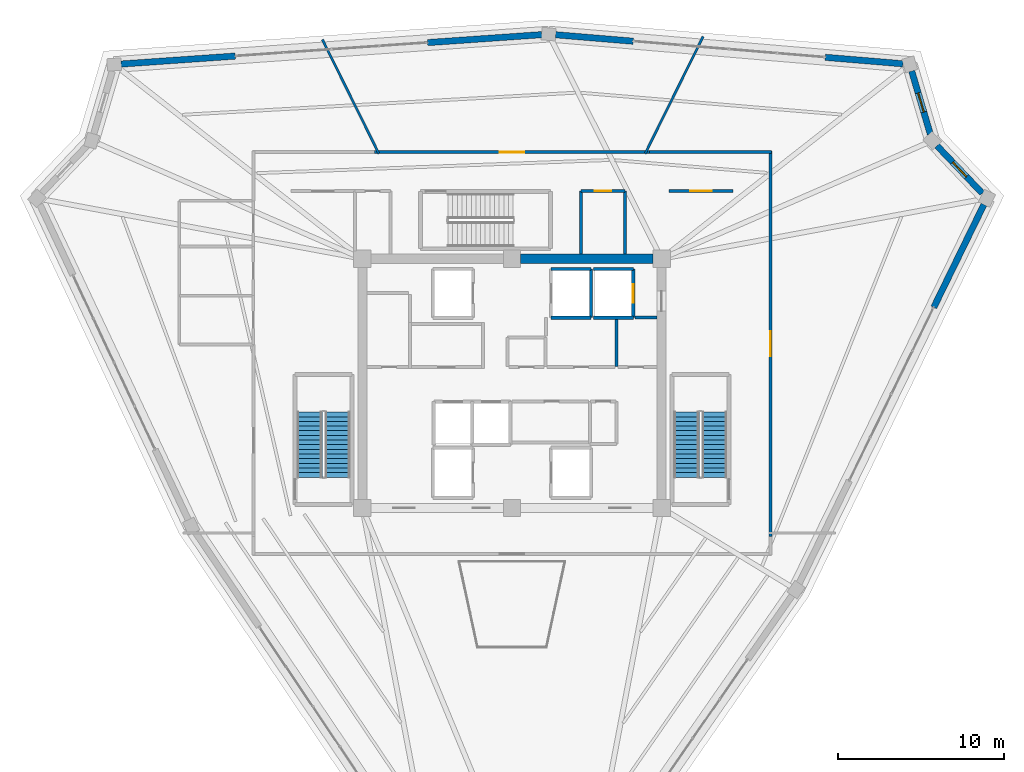
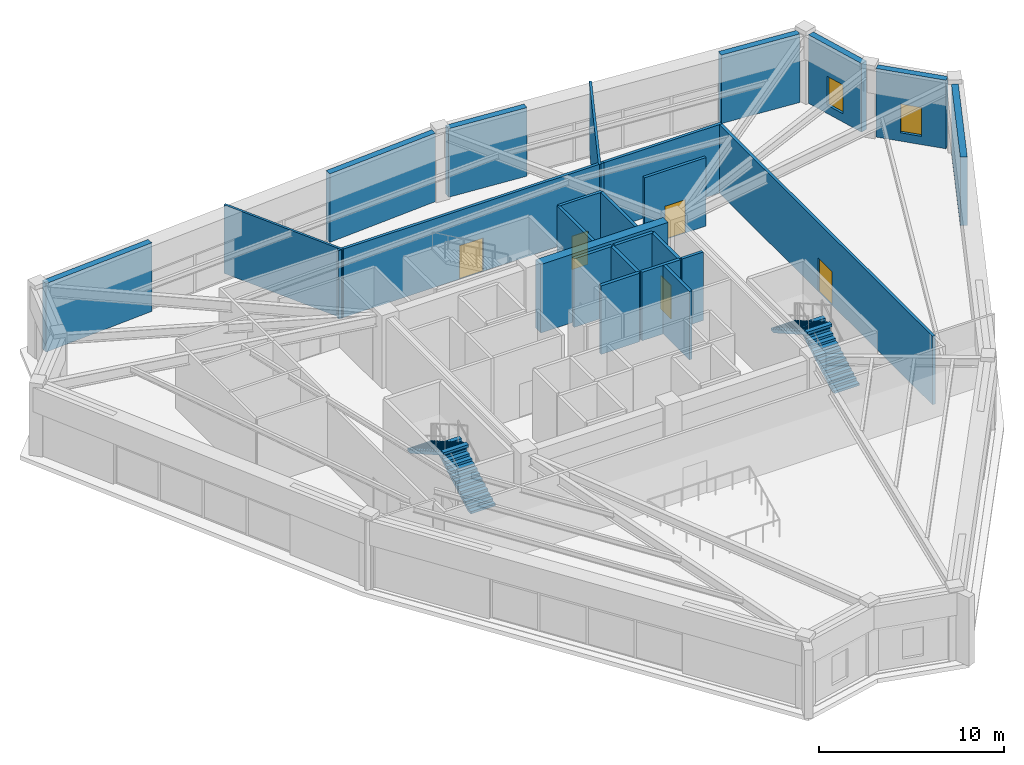
# One storey, part 36 of 40: 25 walls, 5 doors, 4 stair flights, 2 windows, 7 openings, 2 elements without a shape of their own.
"""IFC4 building model written with IfcOpenShell, lengths in metres."""

from ifc_helpers import new_model, si_unit, direction, frame, frame_2d, origin, place, context, subcontext, project, spatial, polyline, rectangle, outline, extrude, source, transform, mapped, material, layer, layer_set, type_object, element, fill, aggregate, save


model = new_model("IFC4")

# Units and contexts
model_context = context("Model", 3, precision=1e-05, world=origin(), true_north=direction((0.0, 1.0)))
body_context = subcontext(model_context, "Body", "Model", "MODEL_VIEW")
ifc_project = project(units=[si_unit("LENGTHUNIT", "METRE"), si_unit("AREAUNIT", "SQUARE_METRE"), si_unit("VOLUMEUNIT", "CUBIC_METRE"), si_unit("PLANEANGLEUNIT", "RADIAN"), si_unit("MASSUNIT", "GRAM", prefix="KILO")], contexts=[model_context])

# Site, building, storey
site_placement = place(None, origin())
site = spatial("IfcSite", under=ifc_project, at=site_placement, CompositionType="ELEMENT")
building_placement = place(site_placement, origin())
building = spatial("IfcBuilding", under=site, at=building_placement, Name="Liaohun Quay Tower", CompositionType="ELEMENT")
storey_placement = place(building_placement, frame((0.0, 0.0, 351.0)))
storey = spatial("IfcBuildingStorey", under=building, at=storey_placement, Name="L91", CompositionType="ELEMENT", Elevation=351.0)

# Walls
ifc_material_1 = material(Name="Concrete C50", Category="concrete")
ifc_layer_1 = layer(ifc_material_1, 0.550048828125, Name="Concrete C50", Category="concrete")
ifc_layer_set_1 = layer_set([ifc_layer_1], Name="Concrete C50")
wall_type_1 = type_object("IfcWallType", Name="WAL-COR-Z4", PredefinedType="SHEAR", material=ifc_layer_set_1)
wall_1_placement = place(storey_placement, frame((60.52490234375, 61.5, 0.0), z_axis=(0.0, 0.0, 1.0), x_axis=(1.0, 0.0, 0.0)))
element("IfcWall", 1, at=wall_1_placement, inside=storey, type_object=wall_type_1, Name="L91 Central Core Shear Wall N-E", PredefinedType="SHEAR", context=body_context, shape_type="SweptSolid", body=[
    extrude(rectangle(XDim=7.9501953125, YDim=0.550048828125, at=frame_2d((3.97509765625, 0.0))), origin(), (0.0, 0.0, 1.0), 4.52001953125),
])
ifc_material_2 = material(Name="Precast concrete C50 insulated sandwich", Category="concrete")
ifc_layer_2 = layer(ifc_material_2, 0.3798828125, Name="Precast concrete C50 insulated sandwich", Category="concrete")
ifc_layer_set_2 = layer_set([ifc_layer_2], Name="Precast concrete C50 insulated sandwich")
wall_type_2 = type_object("IfcWallType", Name="WAL-EXT-Z34", PredefinedType="SOLIDWALL", material=ifc_layer_set_2)
wall_2_placement = place(storey_placement, frame((85.381103515625, 58.572998046875, 0.0), z_axis=(0.0, 0.0, 1.0), x_axis=(0.438401984213, 0.898779005228, 0.0)))
element("IfcWall", 2, at=wall_2_placement, inside=storey, type_object=wall_type_2, Name="L91 Belvedere Flank Pier Wall 03R", PredefinedType="SOLIDWALL", context=body_context, shape_type="SweptSolid", body=[
    extrude(rectangle(XDim=6.88818359375, YDim=0.3798828125, at=frame_2d((3.444091796875, 0.0))), origin(), (0.0, 0.0, 1.0), 4.52001953125),
])

# Wall, opening, window
wall_3_placement = place(storey_placement, frame((88.297119140625, 65.43798828125, 0.0), z_axis=(0.0, 0.0, 1.0), x_axis=(-0.689429800436, 0.724352504152, 0.0)))
wall_3 = element("IfcWall", 3, at=wall_3_placement, inside=storey, type_object=wall_type_2, Name="L91 Corner Notch Precast Pier Wall 04", PredefinedType="SOLIDWALL", context=body_context, shape_type="SweptSolid", body=[
    extrude(rectangle(XDim=3.949951171875, YDim=0.3798828125, at=frame_2d((1.97509765625, 0.0))), origin(), (0.0, 0.0, 1.0), 4.52001953125),
])
shared_shape_1 = source(origin(), body_context, "Body", "SweptSolid", [
    extrude(rectangle(XDim=1.199951171875, YDim=1.89990234375, at=frame_2d((0.60009765625, 0.949951171875))), frame((0.0, 0.199951171875, 0.0), z_axis=(0.0, -1.0, 0.0), x_axis=(1.0, 0.0, 0.0)), (0.0, 0.0, 1.0), 0.39990234375),
])
opening_1_placement = place(wall_3_placement, frame((1.375, 0.0, 0.550048828125)))
opening_1 = element("IfcOpeningElement", 4, at=opening_1_placement, cuts=wall_3, Name="Opening W05", PredefinedType="OPENING", context=body_context, shape_type="MappedRepresentation", body=[
    mapped(shared_shape_1, transform((0.0, 0.0, 0.0), x_axis=(1.0, 0.0, 0.0), y_axis=(0.0, 1.0, 0.0), z_axis=(0.0, 0.0, 1.0), scale=1.0)),
])
ifc_material_3 = material(Name="Triple Low-E corner notch glazing", Category="glass")
window_type = type_object("IfcWindowType", Name="WIN-NOTCH", PartitioningType="SINGLE_PANEL", PredefinedType="WINDOW", material=ifc_material_3)
shared_shape_2 = source(origin(), body_context, "Body", "SweptSolid", [
    extrude(rectangle(XDim=1.199951171875, YDim=1.89990234375, at=frame_2d((0.60009765625, 0.949951171875))), frame((0.0, 0.030029296875, 0.0), z_axis=(0.0, -1.0, 0.0), x_axis=(1.0, 0.0, 0.0)), (0.0, 0.0, 1.0), 0.06005859375),
])
window_1_placement = place(opening_1_placement, origin())
window_1 = element("IfcWindow", 5, at=window_1_placement, inside=storey, type_object=window_type, Name="L91 Corner Notch Window W05-04", OverallHeight=1.89990234375, OverallWidth=1.199951171875, PartitioningType="SINGLE_PANEL", PredefinedType="WINDOW", context=body_context, shape_type="MappedRepresentation", body=[
    mapped(shared_shape_2, transform((0.0, 0.0, 0.0), x_axis=(1.0, 0.0, 0.0), y_axis=(0.0, 1.0, 0.0), z_axis=(0.0, 0.0, 1.0), scale=1.0)),
])
fill(opening_1, window_1)

wall_4_placement = place(storey_placement, frame((85.1708984375, 68.998046875, 0.0), z_axis=(0.0, 0.0, 1.0), x_axis=(-0.282830565061, 0.959169886656, 0.0)))
wall_4 = element("IfcWall", 6, at=wall_4_placement, inside=storey, type_object=wall_type_2, Name="L91 Corner Notch Precast Pier Wall 05", PredefinedType="SOLIDWALL", context=body_context, shape_type="SweptSolid", body=[
    extrude(rectangle(XDim=3.95947265625, YDim=0.3798828125, at=frame_2d((1.979736328125, 0.0))), origin(), (0.0, 0.0, 1.0), 4.52001953125),
])
opening_2_placement = place(wall_4_placement, frame((1.3798828125, 0.0, 0.550048828125)))
opening_2 = element("IfcOpeningElement", 7, at=opening_2_placement, cuts=wall_4, Name="Opening W05", PredefinedType="OPENING", context=body_context, shape_type="MappedRepresentation", body=[
    mapped(shared_shape_1, transform((0.0, 0.0, 0.0), x_axis=(1.0, 0.0, 0.0), y_axis=(0.0, 1.0, 0.0), z_axis=(0.0, 0.0, 1.0), scale=1.0)),
])
window_2_placement = place(opening_2_placement, origin())
window_2 = element("IfcWindow", 8, at=window_2_placement, inside=storey, type_object=window_type, Name="L91 Corner Notch Window W05-05", OverallHeight=1.89990234375, OverallWidth=1.199951171875, PartitioningType="SINGLE_PANEL", PredefinedType="WINDOW", context=body_context, shape_type="MappedRepresentation", body=[
    mapped(shared_shape_2, transform((0.0, 0.0, 0.0), x_axis=(1.0, 0.0, 0.0), y_axis=(0.0, 1.0, 0.0), z_axis=(0.0, 0.0, 1.0), scale=1.0)),
])
fill(opening_2, window_2)

# Walls
for number, where, z_axis, x_axis, name in (
    (9, (83.52001953125, 73.22900390625, 0.0), (0.0, 0.0, 1.0), (-0.996511180492, 0.083459374276, 0.0), "L91 Belvedere Flank Pier Wall 06L"),
    (10, (67.291015625, 74.5869140625, 0.0), (0.0, 0.0, 1.0), (-0.996511180492, 0.083459374276, 0.0), "L91 Belvedere Flank Pier Wall 06R"),
):
    element("IfcWall", number, at=place(storey_placement, frame(where, z_axis=z_axis, x_axis=x_axis)), inside=storey, type_object=wall_type_2, Name=name, PredefinedType="SOLIDWALL", context=body_context, shape_type="SweptSolid", body=[
        extrude(rectangle(XDim=4.686279296875, YDim=0.3798828125, at=frame_2d((2.34326171875, 0.0))), origin(), (0.0, 0.0, 1.0), 4.52001953125),
    ])
for number, where, z_axis, x_axis, name in (
    (11, (61.79296875, 74.98388671875, 0.0), (0.0, 0.0, 1.0), (-0.997569718887, -0.06967536121, 0.0), "L91 Belvedere Flank Pier Wall 07L"),
    (12, (43.34912109375, 73.694091796875, 0.0), (0.0, 0.0, 1.0), (-0.997569718887, -0.06967536121, 0.0), "L91 Belvedere Flank Pier Wall 07R"),
):
    element("IfcWall", number, at=place(storey_placement, frame(where, z_axis=z_axis, x_axis=x_axis)), inside=storey, type_object=wall_type_2, Name=name, PredefinedType="SOLIDWALL", context=body_context, shape_type="SweptSolid", body=[
        extrude(rectangle(XDim=6.888916015625, YDim=0.3798828125, at=frame_2d((3.4443359375, 0.0))), origin(), (0.0, 0.0, 1.0), 4.52001953125),
    ])

# Wall, opening, door
ifc_material_4 = material(Name="Autoclaved aerated concrete blockwork", Category="masonry")
ifc_layer_3 = layer(ifc_material_4, 0.179931640625, Name="Autoclaved aerated concrete blockwork", Category="masonry")
ifc_layer_set_3 = layer_set([ifc_layer_3], Name="Autoclaved aerated concrete blockwork")
wall_type_3 = type_object("IfcWallType", Name="WAL-PRT-COR", PredefinedType="PARTITIONING", material=ifc_layer_set_3)
wall_5_placement = place(storey_placement, frame((64.139892578125, 65.580078125, 0.0), z_axis=(0.0, 0.0, 1.0), x_axis=(1.0, 0.0, 0.0)))
wall_5 = element("IfcWall", 13, at=wall_5_placement, inside=storey, type_object=wall_type_3, Name="L91 Interior Partition Wall 012", PredefinedType="PARTITIONING", context=body_context, shape_type="SweptSolid", body=[
    extrude(rectangle(XDim=2.670166015625, YDim=0.179931640625, at=frame_2d((1.3349609375, 0.0))), origin(), (0.0, 0.0, 1.0), 4.52001953125),
])
shared_shape_3 = source(origin(), body_context, "Body", "SweptSolid", [
    extrude(rectangle(XDim=1.0, YDim=2.199951171875, at=frame_2d((0.5, 1.10009765625))), frame((0.0, 0.099853515625, 0.0), z_axis=(0.0, -1.0, 0.0), x_axis=(1.0, 0.0, 0.0)), (0.0, 0.0, 1.0), 0.199951171875),
])
opening_3_placement = place(wall_5_placement, frame((0.8349609375, 0.0, 0.0)))
opening_3 = element("IfcOpeningElement", 14, at=opening_3_placement, cuts=wall_5, Name="Opening OD1", PredefinedType="OPENING", context=body_context, shape_type="MappedRepresentation", body=[
    mapped(shared_shape_3, transform((0.0, 0.0, 0.0), x_axis=(1.0, 0.0, 0.0), y_axis=(0.0, 1.0, 0.0), z_axis=(0.0, 0.0, 1.0), scale=1.0)),
])
ifc_material_5 = material(Name="Solid-core oak veneer timber leaf in steel frame", Category="steel")
door_type_1 = type_object("IfcDoorType", Name="DOR-OFF-1000", OperationType="NOTDEFINED", PredefinedType="DOOR", material=ifc_material_5)
shared_shape_4 = source(origin(), body_context, "Body", "SweptSolid", [
    extrude(rectangle(XDim=1.0, YDim=2.199951171875, at=frame_2d((0.5, 1.10009765625))), frame((0.0, 0.02490234375, 0.0), z_axis=(0.0, -1.0, 0.0), x_axis=(1.0, 0.0, 0.0)), (0.0, 0.0, 1.0), 0.050048828125),
])
door_1_placement = place(opening_3_placement, origin())
door_1 = element("IfcDoor", 15, at=door_1_placement, inside=storey, type_object=door_type_1, Name="L91 North-East Server Closet Door", OperationType="SINGLE_SWING_RIGHT", OverallHeight=2.199951171875, OverallWidth=1.0, PredefinedType="DOOR", context=body_context, shape_type="MappedRepresentation", body=[
    mapped(shared_shape_4, transform((0.0, 0.0, 0.0), x_axis=(1.0, 0.0, 0.0), y_axis=(0.0, 1.0, 0.0), z_axis=(0.0, 0.0, 1.0), scale=1.0)),
])
fill(opening_3, door_1)

wall_6_placement = place(storey_placement, frame((69.4599609375, 65.580078125, 0.0), z_axis=(0.0, 0.0, 1.0), x_axis=(1.0, 0.0, 0.0)))
wall_6 = element("IfcWall", 16, at=wall_6_placement, inside=storey, type_object=wall_type_3, Name="L91 Interior Partition Wall 014", PredefinedType="PARTITIONING", context=body_context, shape_type="SweptSolid", body=[
    extrude(rectangle(XDim=3.840087890625, YDim=0.179931640625, at=frame_2d((1.919921875, 0.0))), origin(), (0.0, 0.0, 1.0), 4.52001953125),
])
shared_shape_5 = source(origin(), body_context, "Body", "SweptSolid", [
    extrude(rectangle(XDim=1.300048828125, YDim=2.199951171875, at=frame_2d((0.64990234375, 1.10009765625))), frame((0.0, 0.099853515625, 0.0), z_axis=(0.0, -1.0, 0.0), x_axis=(1.0, 0.0, 0.0)), (0.0, 0.0, 1.0), 0.199951171875),
])
opening_4_placement = place(wall_6_placement, frame((1.27001953125, 0.0, 0.0)))
opening_4 = element("IfcOpeningElement", 17, at=opening_4_placement, cuts=wall_6, Name="Opening FD1", PredefinedType="OPENING", context=body_context, shape_type="MappedRepresentation", body=[
    mapped(shared_shape_5, transform((0.0, 0.0, 0.0), x_axis=(1.0, 0.0, 0.0), y_axis=(0.0, 1.0, 0.0), z_axis=(0.0, 0.0, 1.0), scale=1.0)),
])
ifc_material_6 = material(Name="Galvanised steel smokeproof fire door", Category="steel")
door_type_2 = type_object("IfcDoorType", Name="DOR-FFL-1300", OperationType="NOTDEFINED", PredefinedType="DOOR", material=ifc_material_6)
shared_shape_6 = source(origin(), body_context, "Body", "SweptSolid", [
    extrude(rectangle(XDim=1.300048828125, YDim=2.199951171875, at=frame_2d((0.64990234375, 1.10009765625))), frame((0.0, 0.02490234375, 0.0), z_axis=(0.0, -1.0, 0.0), x_axis=(1.0, 0.0, 0.0)), (0.0, 0.0, 1.0), 0.050048828125),
])
door_2_placement = place(opening_4_placement, origin())
door_2 = element("IfcDoor", 18, at=door_2_placement, inside=storey, type_object=door_type_2, Name="L91 East Core Vestibule Door", OperationType="SINGLE_SWING_RIGHT", OverallHeight=2.199951171875, OverallWidth=1.300048828125, PredefinedType="DOOR", context=body_context, shape_type="MappedRepresentation", body=[
    mapped(shared_shape_6, transform((0.0, 0.0, 0.0), x_axis=(1.0, 0.0, 0.0), y_axis=(0.0, 1.0, 0.0), z_axis=(0.0, 0.0, 1.0), scale=1.0)),
])
fill(opening_4, door_2)

wall_7_placement = place(storey_placement, frame((75.56005859375, 67.97998046875, 0.0), z_axis=(0.0, 0.0, 1.0), x_axis=(0.0, -1.0, 0.0)))
wall_7 = element("IfcWall", 19, at=wall_7_placement, inside=storey, type_object=wall_type_3, Name="L91 Interior Partition Wall 015", PredefinedType="PARTITIONING", context=body_context, shape_type="SweptSolid", body=[
    extrude(rectangle(XDim=23.195068359375, YDim=0.179931640625, at=frame_2d((11.59765625, 0.0))), origin(), (0.0, 0.0, 1.0), 4.52001953125),
])
shared_shape_7 = source(origin(), body_context, "Body", "SweptSolid", [
    extrude(rectangle(XDim=1.5, YDim=2.199951171875, at=frame_2d((0.75, 1.10009765625))), frame((0.0, 0.099853515625, 0.0), z_axis=(0.0, -1.0, 0.0), x_axis=(1.0, 0.0, 0.0)), (0.0, 0.0, 1.0), 0.199951171875),
])
opening_5_placement = place(wall_7_placement, frame((10.847900390625, 0.0, 0.0)))
opening_5 = element("IfcOpeningElement", 20, at=opening_5_placement, cuts=wall_7, Name="Opening OD2", PredefinedType="OPENING", context=body_context, shape_type="MappedRepresentation", body=[
    mapped(shared_shape_7, transform((0.0, 0.0, 0.0), x_axis=(1.0, 0.0, 0.0), y_axis=(0.0, 1.0, 0.0), z_axis=(0.0, 0.0, 1.0), scale=1.0)),
])
ifc_material_7 = material(Name="Acoustic oak veneer double door")
door_type_3 = type_object("IfcDoorType", Name="DOR-OFF-1500", OperationType="DOUBLE_DOOR_SINGLE_SWING", PredefinedType="DOOR", material=ifc_material_7)
shared_shape_8 = source(origin(), body_context, "Body", "SweptSolid", [
    extrude(rectangle(XDim=1.5, YDim=2.199951171875, at=frame_2d((0.75, 1.10009765625))), frame((0.0, 0.02490234375, 0.0), z_axis=(0.0, -1.0, 0.0), x_axis=(1.0, 0.0, 0.0)), (0.0, 0.0, 1.0), 0.050048828125),
])
door_3_placement = place(opening_5_placement, origin())
door_3 = element("IfcDoor", 21, at=door_3_placement, inside=storey, type_object=door_type_3, Name="L91 Observation Belvedere Panorama Foyer 01 Door", OperationType="DOUBLE_DOOR_SINGLE_SWING", OverallHeight=2.199951171875, OverallWidth=1.5, PredefinedType="DOOR", context=body_context, shape_type="MappedRepresentation", body=[
    mapped(shared_shape_8, transform((0.0, 0.0, 0.0), x_axis=(1.0, 0.0, 0.0), y_axis=(0.0, 1.0, 0.0), z_axis=(0.0, 0.0, 1.0), scale=1.0)),
])
fill(opening_5, door_3)

wall_8_placement = place(storey_placement, frame((51.714111328125, 67.909912109375, 0.0), z_axis=(0.0, 0.0, 1.0), x_axis=(1.0, 0.0, 0.0)))
wall_8 = element("IfcWall", 22, at=wall_8_placement, inside=storey, type_object=wall_type_3, Name="L91 Interior Partition Wall 016", PredefinedType="PARTITIONING", context=body_context, shape_type="SweptSolid", body=[
    extrude(rectangle(XDim=16.57177734375, YDim=0.179931640625, at=frame_2d((8.285888671875, 0.0))), origin(), (0.0, 0.0, 1.0), 4.52001953125),
])
opening_6_placement = place(wall_8_placement, frame((7.535888671875, 0.0, 0.0)))
opening_6 = element("IfcOpeningElement", 23, at=opening_6_placement, cuts=wall_8, Name="Opening OD2", PredefinedType="OPENING", context=body_context, shape_type="MappedRepresentation", body=[
    mapped(shared_shape_7, transform((0.0, 0.0, 0.0), x_axis=(1.0, 0.0, 0.0), y_axis=(0.0, 1.0, 0.0), z_axis=(0.0, 0.0, 1.0), scale=1.0)),
])
door_4_placement = place(opening_6_placement, origin())
door_4 = element("IfcDoor", 24, at=door_4_placement, inside=storey, type_object=door_type_3, Name="L91 Riverfront Telescope Viewing Lounge 02 Door", OperationType="DOUBLE_DOOR_SINGLE_SWING", OverallHeight=2.199951171875, OverallWidth=1.5, PredefinedType="DOOR", context=body_context, shape_type="MappedRepresentation", body=[
    mapped(shared_shape_8, transform((0.0, 0.0, 0.0), x_axis=(1.0, 0.0, 0.0), y_axis=(0.0, 1.0, 0.0), z_axis=(0.0, 0.0, 1.0), scale=1.0)),
])
fill(opening_6, door_4)

# Walls
wall_9_placement = place(storey_placement, frame((66.300048828125, 55.02001953125, 0.0), z_axis=(0.0, 0.0, 1.0), x_axis=(0.0, 1.0, 0.0)))
element("IfcWall", 25, at=wall_9_placement, inside=storey, type_object=wall_type_3, Name="L91 Interior Partition Wall 020", PredefinedType="PARTITIONING", context=body_context, shape_type="SweptSolid", body=[
    extrude(rectangle(XDim=2.85986328125, YDim=0.179931640625, at=frame_2d((1.429931640625, 0.0))), origin(), (0.0, 0.0, 1.0), 4.52001953125),
])
for number, where, z_axis, x_axis, name in (
    (26, (64.139892578125, 61.77490234375, 0.0), (0.0, 0.0, 1.0), (0.0, 1.0, 0.0), "L91 Interior Partition Wall 034"),
    (27, (66.81005859375, 61.77490234375, 0.0), (0.0, 0.0, 1.0), (0.0, 1.0, 0.0), "L91 Interior Partition Wall 035"),
):
    element("IfcWall", number, at=place(storey_placement, frame(where, z_axis=z_axis, x_axis=x_axis)), inside=storey, type_object=wall_type_3, Name=name, PredefinedType="PARTITIONING", context=body_context, shape_type="SweptSolid", body=[
        extrude(rectangle(XDim=3.80517578125, YDim=0.179931640625, at=frame_2d((1.902587890625, 0.0))), origin(), (0.0, 0.0, 1.0), 4.52001953125),
    ])
wall_10_placement = place(storey_placement, frame((68.285888671875, 67.909912109375, 0.0), z_axis=(0.0, 0.0, 1.0), x_axis=(1.0, 0.0, 0.0)))
element("IfcWall", 28, at=wall_10_placement, inside=storey, type_object=wall_type_3, Name="L91 Interior Partition Wall 036", PredefinedType="PARTITIONING", context=body_context, shape_type="SweptSolid", body=[
    extrude(rectangle(XDim=7.343994140625, YDim=0.179931640625, at=frame_2d((3.671875, 0.0))), origin(), (0.0, 0.0, 1.0), 4.52001953125),
])
wall_11_placement = place(storey_placement, frame((67.39990234375, 57.949951171875, 0.0), z_axis=(0.0, 0.0, 1.0), x_axis=(1.0, 0.0, 0.0)))
element("IfcWall", 29, at=wall_11_placement, inside=storey, type_object=wall_type_3, Name="L91 Interior Partition Wall 051", PredefinedType="PARTITIONING", context=body_context, shape_type="SweptSolid", body=[
    extrude(rectangle(XDim=1.3251953125, YDim=0.179931640625, at=frame_2d((0.66259765625, 0.0))), origin(), (0.0, 0.0, 1.0), 4.52001953125),
])
ifc_material_8 = material(Name="Gypsum board on twin steel studs", Category="steel")
ifc_layer_4 = layer(ifc_material_8, 0.139892578125, Name="Gypsum board on twin steel studs", Category="steel")
ifc_layer_set_4 = layer_set([ifc_layer_4], Name="Gypsum board on twin steel studs")
wall_type_4 = type_object("IfcWallType", Name="WAL-PRT-OFF", PredefinedType="PARTITIONING", material=ifc_layer_set_4)
wall_12_placement = place(storey_placement, frame((51.9951171875, 67.81005859375, 0.0), z_axis=(0.0, 0.0, 1.0), x_axis=(-0.443700227648, 0.896175266332, 0.0)))
element("IfcWall", 30, at=wall_12_placement, inside=storey, type_object=wall_type_4, Name="L91 Interior Partition Wall 043", PredefinedType="PARTITIONING", context=body_context, shape_type="SweptSolid", body=[
    extrude(rectangle(XDim=7.67919921875, YDim=0.139892578125, at=frame_2d((3.839599609375, 0.0))), origin(), (0.0, 0.0, 1.0), 4.52001953125),
])
wall_13_placement = place(storey_placement, frame((68.0048828125, 67.81005859375, 0.0), z_axis=(0.0, 0.0, 1.0), x_axis=(0.44362577634, 0.896212123644, 0.0)))
element("IfcWall", 31, at=wall_13_placement, inside=storey, type_object=wall_type_4, Name="L91 Interior Partition Wall 044", PredefinedType="PARTITIONING", context=body_context, shape_type="SweptSolid", body=[
    extrude(rectangle(XDim=7.8740234375, YDim=0.139892578125, at=frame_2d((3.93701171875, 0.0))), origin(), (0.0, 0.0, 1.0), 4.52001953125),
])
ifc_layer_5 = layer(ifc_material_1, 0.239990234375, Name="Concrete C50", Category="concrete")
ifc_layer_set_5 = layer_set([ifc_layer_5], Name="Concrete C50")
wall_type_5 = type_object("IfcWallType", Name="WAL-SHF-200", PredefinedType="SOLIDWALL", material=ifc_layer_set_5)
wall_14_placement = place(storey_placement, frame((62.35009765625, 57.949951171875, 0.0), z_axis=(0.0, 0.0, 1.0), x_axis=(1.0, 0.0, 0.0)))
element("IfcWall", 32, at=wall_14_placement, inside=storey, type_object=wall_type_5, Name="L91 Lift OB-01 Hoistway Wall S", PredefinedType="SOLIDWALL", context=body_context, shape_type="SweptSolid", body=[
    extrude(rectangle(XDim=2.39990234375, YDim=0.199951171875, at=frame_2d((1.199951171875, 0.0))), origin(), (0.0, 0.0, 1.0), 4.52001953125),
])
wall_15_placement = place(storey_placement, frame((64.75, 57.949951171875, 0.0), z_axis=(0.0, 0.0, 1.0), x_axis=(0.0, 1.0, 0.0)))
element("IfcWall", 33, at=wall_15_placement, inside=storey, type_object=wall_type_5, Name="L91 Lift OB-01 Hoistway Wall E", PredefinedType="SOLIDWALL", context=body_context, shape_type="SweptSolid", body=[
    extrude(rectangle(XDim=2.929931640625, YDim=0.199951171875, at=frame_2d((1.46484375, 0.0))), origin(), (0.0, 0.0, 1.0), 4.52001953125),
])
wall_16_placement = place(storey_placement, frame((64.75, 60.8798828125, 0.0), z_axis=(0.0, 0.0, 1.0), x_axis=(-1.0, 0.0, 0.0)))
element("IfcWall", 34, at=wall_16_placement, inside=storey, type_object=wall_type_5, Name="L91 Lift OB-01 Hoistway Wall N", PredefinedType="SOLIDWALL", context=body_context, shape_type="SweptSolid", body=[
    extrude(rectangle(XDim=2.39990234375, YDim=0.199951171875, at=frame_2d((1.199951171875, 0.0))), origin(), (0.0, 0.0, 1.0), 4.52001953125),
])
wall_17_placement = place(storey_placement, frame((64.89990234375, 57.949951171875, 0.0), z_axis=(0.0, 0.0, 1.0), x_axis=(1.0, 0.0, 0.0)))
element("IfcWall", 35, at=wall_17_placement, inside=storey, type_object=wall_type_5, Name="L91 Lift OB-02 Hoistway Wall S", PredefinedType="SOLIDWALL", context=body_context, shape_type="SweptSolid", body=[
    extrude(rectangle(XDim=2.400146484375, YDim=0.199951171875, at=frame_2d((1.2001953125, 0.0))), origin(), (0.0, 0.0, 1.0), 4.52001953125),
])

# Wall, opening, door
wall_18_placement = place(storey_placement, frame((67.300048828125, 57.949951171875, 0.0), z_axis=(0.0, 0.0, 1.0), x_axis=(0.0, 1.0, 0.0)))
wall_18 = element("IfcWall", 36, at=wall_18_placement, inside=storey, type_object=wall_type_5, Name="L91 Lift OB-02 Hoistway Wall E", PredefinedType="SOLIDWALL", context=body_context, shape_type="SweptSolid", body=[
    extrude(rectangle(XDim=2.929931640625, YDim=0.199951171875, at=frame_2d((1.46484375, 0.0))), origin(), (0.0, 0.0, 1.0), 4.52001953125),
])
shared_shape_9 = source(origin(), body_context, "Body", "SweptSolid", [
    extrude(rectangle(XDim=1.10009765625, YDim=2.199951171875, at=frame_2d((0.550048828125, 1.10009765625))), frame((0.0, 0.10986328125, 0.0), z_axis=(0.0, -1.0, 0.0), x_axis=(1.0, 0.0, 0.0)), (0.0, 0.0, 1.0), 0.219970703125),
])
opening_7_placement = place(wall_18_placement, frame((0.9150390625, 0.0, 0.0)))
opening_7 = element("IfcOpeningElement", 37, at=opening_7_placement, cuts=wall_18, Name="Opening LD1", PredefinedType="OPENING", context=body_context, shape_type="MappedRepresentation", body=[
    mapped(shared_shape_9, transform((0.0, 0.0, 0.0), x_axis=(1.0, 0.0, 0.0), y_axis=(0.0, 1.0, 0.0), z_axis=(0.0, 0.0, 1.0), scale=1.0)),
])
ifc_material_9 = material(Name="Brushed stainless steel landing door", Category="steel")
door_type_4 = type_object("IfcDoorType", Name="DOR-LFT-1100", OperationType="SLIDING_TO_LEFT", PredefinedType="DOOR", material=ifc_material_9)
shared_shape_10 = source(origin(), body_context, "Body", "SweptSolid", [
    extrude(rectangle(XDim=1.10009765625, YDim=2.199951171875, at=frame_2d((0.550048828125, 1.10009765625))), frame((0.0, 0.02490234375, 0.0), z_axis=(0.0, -1.0, 0.0), x_axis=(1.0, 0.0, 0.0)), (0.0, 0.0, 1.0), 0.050048828125),
])
door_5_placement = place(opening_7_placement, origin())
door_5 = element("IfcDoor", 38, at=door_5_placement, inside=storey, type_object=door_type_4, Name="L91 Lift OB-02 Sliding Landing Door", OperationType="SLIDING_TO_LEFT", OverallHeight=2.199951171875, OverallWidth=1.10009765625, PredefinedType="DOOR", context=body_context, shape_type="MappedRepresentation", body=[
    mapped(shared_shape_10, transform((0.0, 0.0, 0.0), x_axis=(1.0, 0.0, 0.0), y_axis=(0.0, 1.0, 0.0), z_axis=(0.0, 0.0, 1.0), scale=1.0)),
])
fill(opening_7, door_5)

# Wall
wall_19_placement = place(storey_placement, frame((67.300048828125, 60.8798828125, 0.0), z_axis=(0.0, 0.0, 1.0), x_axis=(-1.0, 0.0, 0.0)))
element("IfcWall", 39, at=wall_19_placement, inside=storey, type_object=wall_type_5, Name="L91 Lift OB-02 Hoistway Wall N", PredefinedType="SOLIDWALL", context=body_context, shape_type="SweptSolid", body=[
    extrude(rectangle(XDim=2.400146484375, YDim=0.199951171875, at=frame_2d((1.2001953125, 0.0))), origin(), (0.0, 0.0, 1.0), 4.52001953125),
])

# Stair, stair flights
ifc_material_10 = material(Name="Concrete C45", Category="concrete")
stair_type = type_object("IfcStairType", Name="STR-CORE-CRN", PredefinedType="HALF_TURN_STAIR", material=ifc_material_10)
stair_1_placement = place(storey_placement, origin())
stair_1 = element("IfcStair", 40, at=stair_1_placement, inside=storey, type_object=stair_type, Name="L91 Smokeproof Core Exit Stair ST-1", PredefinedType="HALF_TURN_STAIR")
stair_flight_type = type_object("IfcStairFlightType", Name="FLT-CORE-155", PredefinedType="STRAIGHT", material=ifc_material_10)
stair_flight_1_placement = place(storey_placement, frame((49.5048828125, 48.35009765625, 0.0), z_axis=(0.0, 0.0, 1.0), x_axis=(0.0, 1.0, 0.0)))
stair_flight_1 = element("IfcStairFlight", 41, at=stair_flight_1_placement, type_object=stair_flight_type, Name="ST-1 flight 1", NumberOfRisers=15, NumberOfTreads=14, PredefinedType="STRAIGHT", RiserHeight=0.16, TreadLength=0.28, context=body_context, shape_type="SweptSolid", body=[
    extrude(outline(polyline([(0.0, 0.0), (0.0, 0.159912109375), (0.280029296875, 0.159912109375), (0.280029296875, 0.320068359375), (0.56005859375, 0.320068359375), (0.56005859375, 0.47998046875), (0.840087890625, 0.47998046875), (0.840087890625, 0.639892578125), (1.1201171875, 0.639892578125), (1.1201171875, 0.800048828125), (1.39990234375, 0.800048828125), (1.39990234375, 0.9599609375), (1.679931640625, 0.9599609375), (1.679931640625, 1.1201171875), (1.9599609375, 1.1201171875), (1.9599609375, 1.280029296875), (2.239990234375, 1.280029296875), (2.239990234375, 1.43994140625), (2.52001953125, 1.43994140625), (2.52001953125, 1.60009765625), (2.800048828125, 1.60009765625), (2.800048828125, 1.760009765625), (3.080078125, 1.760009765625), (3.080078125, 1.919921875), (3.360107421875, 1.919921875), (3.360107421875, 2.080078125), (3.639892578125, 2.080078125), (3.639892578125, 2.239990234375), (3.919921875, 2.239990234375), (3.919921875, 2.39990234375), (3.919921875, 2.0673828125), (0.30224609375, 0.0), (0.0, 0.0)])), frame((0.0, 0.77490234375, 0.0), z_axis=(0.0, -1.0, 0.0), x_axis=(1.0, 0.0, 0.0)), (0.0, 0.0, 1.0), 1.550048828125),
])
stair_flight_2_placement = place(storey_placement, frame((47.81494140625, 52.27001953125, 2.39990234375), z_axis=(0.0, 0.0, 1.0), x_axis=(0.0, -1.0, 0.0)))
stair_flight_2 = element("IfcStairFlight", 42, at=stair_flight_2_placement, type_object=stair_flight_type, Name="ST-1 flight 2", NumberOfRisers=15, NumberOfTreads=14, PredefinedType="STRAIGHT", RiserHeight=0.16, TreadLength=0.28, context=body_context, shape_type="SweptSolid", body=[
    extrude(outline(polyline([(0.0, 0.0), (0.0, 0.159912109375), (0.280029296875, 0.159912109375), (0.280029296875, 0.320068359375), (0.56005859375, 0.320068359375), (0.56005859375, 0.47998046875), (0.840087890625, 0.47998046875), (0.840087890625, 0.639892578125), (1.1201171875, 0.639892578125), (1.1201171875, 0.800048828125), (1.39990234375, 0.800048828125), (1.39990234375, 0.9599609375), (1.679931640625, 0.9599609375), (1.679931640625, 1.1201171875), (1.9599609375, 1.1201171875), (1.9599609375, 1.280029296875), (2.239990234375, 1.280029296875), (2.239990234375, 1.43994140625), (2.52001953125, 1.43994140625), (2.52001953125, 1.60009765625), (2.800048828125, 1.60009765625), (2.800048828125, 1.760009765625), (3.080078125, 1.760009765625), (3.080078125, 1.919921875), (3.360107421875, 1.919921875), (3.360107421875, 2.080078125), (3.639892578125, 2.080078125), (3.639892578125, 2.239990234375), (3.919921875, 2.239990234375), (3.919921875, 2.39990234375), (3.919921875, 2.0673828125), (0.30224609375, 0.0), (0.0, 0.0)])), frame((0.0, 0.77490234375, 0.0), z_axis=(0.0, -1.0, 0.0), x_axis=(1.0, 0.0, 0.0)), (0.0, 0.0, 1.0), 1.550048828125),
])
aggregate(stair_1, [stair_flight_1, stair_flight_2])

stair_2_placement = place(storey_placement, origin())
stair_2 = element("IfcStair", 43, at=stair_2_placement, inside=storey, type_object=stair_type, Name="L91 Smokeproof Core Exit Stair ST-2", PredefinedType="HALF_TURN_STAIR")
stair_flight_3_placement = place(storey_placement, frame((72.18505859375, 48.35009765625, 0.0), z_axis=(0.0, 0.0, 1.0), x_axis=(0.0, 1.0, 0.0)))
stair_flight_3 = element("IfcStairFlight", 44, at=stair_flight_3_placement, type_object=stair_flight_type, Name="ST-2 flight 1", NumberOfRisers=15, NumberOfTreads=14, PredefinedType="STRAIGHT", RiserHeight=0.16, TreadLength=0.28, context=body_context, shape_type="SweptSolid", body=[
    extrude(outline(polyline([(0.0, 0.0), (0.0, 0.159912109375), (0.280029296875, 0.159912109375), (0.280029296875, 0.320068359375), (0.56005859375, 0.320068359375), (0.56005859375, 0.47998046875), (0.840087890625, 0.47998046875), (0.840087890625, 0.639892578125), (1.1201171875, 0.639892578125), (1.1201171875, 0.800048828125), (1.39990234375, 0.800048828125), (1.39990234375, 0.9599609375), (1.679931640625, 0.9599609375), (1.679931640625, 1.1201171875), (1.9599609375, 1.1201171875), (1.9599609375, 1.280029296875), (2.239990234375, 1.280029296875), (2.239990234375, 1.43994140625), (2.52001953125, 1.43994140625), (2.52001953125, 1.60009765625), (2.800048828125, 1.60009765625), (2.800048828125, 1.760009765625), (3.080078125, 1.760009765625), (3.080078125, 1.919921875), (3.360107421875, 1.919921875), (3.360107421875, 2.080078125), (3.639892578125, 2.080078125), (3.639892578125, 2.239990234375), (3.919921875, 2.239990234375), (3.919921875, 2.39990234375), (3.919921875, 2.0673828125), (0.30224609375, 0.0), (0.0, 0.0)])), frame((0.0, 0.77490234375, 0.0), z_axis=(0.0, -1.0, 0.0), x_axis=(1.0, 0.0, 0.0)), (0.0, 0.0, 1.0), 1.550048828125),
])
stair_flight_4_placement = place(storey_placement, frame((70.4951171875, 52.27001953125, 2.39990234375), z_axis=(0.0, 0.0, 1.0), x_axis=(0.0, -1.0, 0.0)))
stair_flight_4 = element("IfcStairFlight", 45, at=stair_flight_4_placement, type_object=stair_flight_type, Name="ST-2 flight 2", NumberOfRisers=15, NumberOfTreads=14, PredefinedType="STRAIGHT", RiserHeight=0.16, TreadLength=0.28, context=body_context, shape_type="SweptSolid", body=[
    extrude(outline(polyline([(0.0, 0.0), (0.0, 0.159912109375), (0.280029296875, 0.159912109375), (0.280029296875, 0.320068359375), (0.56005859375, 0.320068359375), (0.56005859375, 0.47998046875), (0.840087890625, 0.47998046875), (0.840087890625, 0.639892578125), (1.1201171875, 0.639892578125), (1.1201171875, 0.800048828125), (1.39990234375, 0.800048828125), (1.39990234375, 0.9599609375), (1.679931640625, 0.9599609375), (1.679931640625, 1.1201171875), (1.9599609375, 1.1201171875), (1.9599609375, 1.280029296875), (2.239990234375, 1.280029296875), (2.239990234375, 1.43994140625), (2.52001953125, 1.43994140625), (2.52001953125, 1.60009765625), (2.800048828125, 1.60009765625), (2.800048828125, 1.760009765625), (3.080078125, 1.760009765625), (3.080078125, 1.919921875), (3.360107421875, 1.919921875), (3.360107421875, 2.080078125), (3.639892578125, 2.080078125), (3.639892578125, 2.239990234375), (3.919921875, 2.239990234375), (3.919921875, 2.39990234375), (3.919921875, 2.0673828125), (0.30224609375, 0.0), (0.0, 0.0)])), frame((0.0, 0.77490234375, 0.0), z_axis=(0.0, -1.0, 0.0), x_axis=(1.0, 0.0, 0.0)), (0.0, 0.0, 1.0), 1.550048828125),
])
aggregate(stair_2, [stair_flight_3, stair_flight_4])

save(model, "model.ifc")
